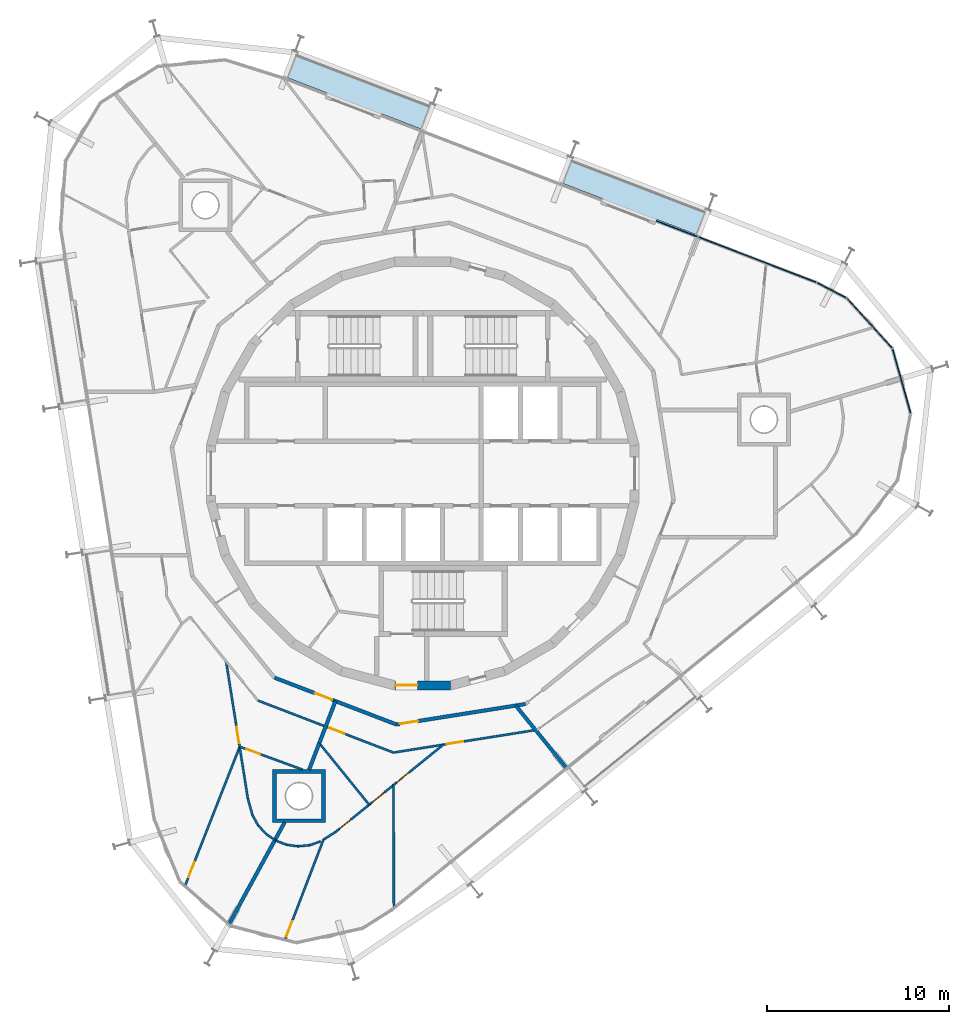
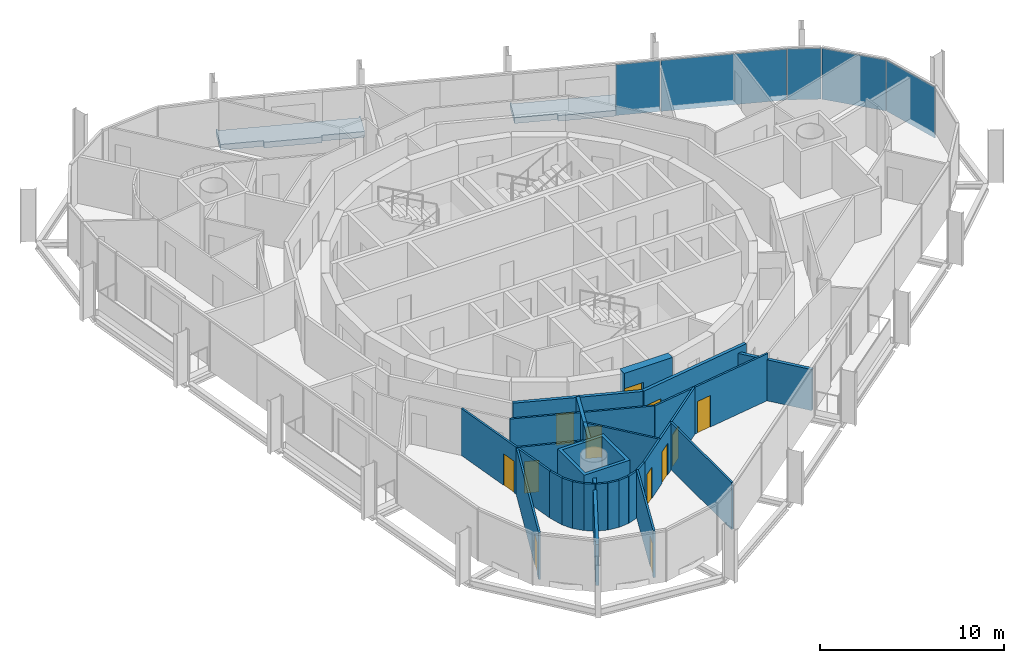
# One storey, part 11 of 18: 26 walls, 12 doors, 5 plates, 2 slabs, 12 openings, 2 elements without a shape of their own.
"""IFC4 building model written with IfcOpenShell, lengths in metres."""

from ifc_helpers import new_model, si_unit, direction, frame, frame_2d, origin, origin_2d, place, context, subcontext, project, spatial, polyline, rectangle, outline, extrude, material, layer, layer_set, type_object, element, fill, aggregate, save


model = new_model("IFC4")

# Units and contexts
model_context = context("Model", 3, precision=1e-05, world=origin(), true_north=direction((0.0, 1.0)))
body_context = subcontext(model_context, "Body", "Model", "MODEL_VIEW")
ifc_project = project(units=[si_unit("LENGTHUNIT", "METRE"), si_unit("AREAUNIT", "SQUARE_METRE"), si_unit("VOLUMEUNIT", "CUBIC_METRE"), si_unit("PLANEANGLEUNIT", "RADIAN"), si_unit("MASSUNIT", "GRAM", prefix="KILO")], contexts=[model_context])

# Site, building, storey
site_placement = place(None, origin())
site = spatial("IfcSite", under=ifc_project, at=site_placement, CompositionType="ELEMENT")
building_placement = place(site_placement, origin())
building = spatial("IfcBuilding", under=site, at=building_placement, Name="Spindle Arch Residences", CompositionType="ELEMENT")
storey_placement = place(building_placement, frame((0.0, 0.0, 273.89990234375)))
storey = spatial("IfcBuildingStorey", under=building, at=storey_placement, Name="L70", CompositionType="ELEMENT", Elevation=273.89990234375)

# Slabs
ifc_material_1 = material(Name="Concrete C40/50", Category="concrete")
ifc_layer_1 = layer(ifc_material_1, 0.3798828125)
ifc_layer_set_1 = layer_set([ifc_layer_1], Name="Balcony slab 380")
slab_type = type_object("IfcSlabType", Name="Balcony slab 380", PredefinedType="FLOOR", material=ifc_layer_set_1)
slab_1_placement = place(storey_placement, frame((0.0, 0.0, -0.3798828125)))
element("IfcSlab", 1, at=slab_1_placement, inside=storey, type_object=slab_type, Name="Balcony L70 bay 6", PredefinedType="FLOOR", context=body_context, shape_type="SweptSolid", body=[
    extrude(outline(polyline([(15.6220703125, 14.511962890625), (15.552001953125, 14.538818359375), (15.498291015625, 14.39892578125), (8.209228515625, 17.19677734375), (8.26318359375, 17.3369140625), (8.193115234375, 17.36376953125), (7.6591796875, 15.97265625), (9.8798828125, 15.120361328125), (9.822509765625, 14.970947265625), (12.81005859375, 13.823974609375), (12.867431640625, 13.973388671875), (15.088134765625, 13.12109375), (15.6220703125, 14.511962890625)])), origin(), (0.0, 0.0, 1.0), 0.3798828125),
])
slab_2_placement = place(storey_placement, frame((0.0, 0.0, -0.3798828125)))
element("IfcSlab", 2, at=slab_2_placement, inside=storey, type_object=slab_type, Name="Balcony L70 bay 8", PredefinedType="FLOOR", context=body_context, shape_type="SweptSolid", body=[
    extrude(outline(polyline([(0.48388671875, 20.322998046875), (0.413818359375, 20.349853515625), (0.360107421875, 20.2099609375), (-6.928955078125, 23.0078125), (-6.875, 23.14794921875), (-6.945068359375, 23.1748046875), (-7.47900390625, 21.78369140625), (-5.25830078125, 20.93115234375), (-5.315673828125, 20.781982421875), (-2.328125, 19.635009765625), (-2.270751953125, 19.784423828125), (-0.050048828125, 18.931884765625), (0.48388671875, 20.322998046875)])), origin(), (0.0, 0.0, 1.0), 0.3798828125),
])

# Curtain wall, plates
ifc_material_2 = material(Name="Aluminium bronze unitised frame with tinted glass", Category="aluminium")
ifc_layer_2 = layer(ifc_material_2, 0.159912109375)
ifc_layer_set_2 = layer_set([ifc_layer_2], Name="CW-D corner wall on the fillet arcs")
curtain_wall_type_1 = type_object("IfcCurtainWallType", Name="CW-D corner wall on the fillet arcs", PredefinedType="NOTDEFINED", material=ifc_layer_set_2)
curtain_wall_1_placement = place(storey_placement, origin())
curtain_wall_1 = element("IfcCurtainWall", 3, at=curtain_wall_1_placement, inside=storey, type_object=curtain_wall_type_1, Name="CW-D L70 run 1", PredefinedType="NOTDEFINED")
ifc_material_3 = material(Name="Tinted double glazing over aluminium faced non-combustible spandrel zone (K0)", Category="aluminium")
ifc_layer_3 = layer(ifc_material_3, 0.06005859375)
ifc_layer_set_3 = layer_set([ifc_layer_3], Name="Unitised glass panel with E 60 spandrel zone")
plate_type = type_object("IfcPlateType", Name="Unitised glass panel with E 60 spandrel zone", PredefinedType="CURTAIN_PANEL", material=ifc_layer_set_3)
plate_1_placement = place(storey_placement, frame((26.32958984375, 5.09423828125, -0.3798828125), z_axis=(0.0, 0.0, 1.0), x_axis=(-0.270040328007, 0.962849012696, 0.0)))
plate_1 = element("IfcPlate", 4, at=plate_1_placement, type_object=plate_type, Name="CW-D unit 03", PredefinedType="CURTAIN_PANEL", context=body_context, shape_type="SweptSolid", body=[
    extrude(rectangle(XDim=3.666748046875, YDim=0.06005859375, at=origin_2d()), origin(), (0.0, 0.0, 1.0), 3.3798828125),
])
plate_2_placement = place(storey_placement, frame((24.571533203125, 8.265869140625, -0.3798828125), z_axis=(0.0, 0.0, 1.0), x_axis=(-0.673442702134, 0.73923942464, 0.0)))
plate_2 = element("IfcPlate", 5, at=plate_2_placement, type_object=plate_type, Name="CW-D unit 04", PredefinedType="CURTAIN_PANEL", context=body_context, shape_type="SweptSolid", body=[
    extrude(rectangle(XDim=3.666748046875, YDim=0.06005859375, at=origin_2d()), origin(), (0.0, 0.0, 1.0), 3.3798828125),
])
plate_3_placement = place(storey_placement, frame((22.48583984375, 10.078857421875, -0.3798828125), z_axis=(0.0, 0.0, 1.0), x_axis=(-0.885663912754, 0.464326860783, 0.0)))
plate_3 = element("IfcPlate", 6, at=plate_3_placement, type_object=plate_type, Name="CW-D unit 05", PredefinedType="CURTAIN_PANEL", context=body_context, shape_type="SweptSolid", body=[
    extrude(rectangle(XDim=1.816162109375, YDim=0.06005859375, at=origin_2d()), origin(), (0.0, 0.0, 1.0), 3.3798828125),
])
plate_4_placement = place(storey_placement, frame((18.392333984375, 11.76708984375, -0.3798828125), z_axis=(0.0, 0.0, 1.0), x_axis=(-0.933580426497, 0.358367949545, 0.0)))
plate_4 = element("IfcPlate", 7, at=plate_4_placement, type_object=plate_type, Name="CW-D unit 06", PredefinedType="CURTAIN_PANEL", context=body_context, shape_type="SweptSolid", body=[
    extrude(rectangle(XDim=6.9296875, YDim=0.06005859375, at=origin_2d()), origin(), (0.0, 0.0, 1.0), 3.3798828125),
])
aggregate(curtain_wall_1, [plate_1, plate_2, plate_3, plate_4])

# Curtain wall, plate
ifc_material_4 = material(Name="Aluminium bronze unitised frame with tinted glass", Category="aluminium")
ifc_layer_4 = layer(ifc_material_4, 0.159912109375)
ifc_layer_set_4 = layer_set([ifc_layer_4], Name="CW-C typical residential unitised wall")
curtain_wall_type_2 = type_object("IfcCurtainWallType", Name="CW-C typical residential unitised wall", PredefinedType="NOTDEFINED", material=ifc_layer_set_4)
curtain_wall_2_placement = place(storey_placement, origin())
curtain_wall_2 = element("IfcCurtainWall", 8, at=curtain_wall_2_placement, inside=storey, type_object=curtain_wall_type_2, Name="CW-C L70 run 2", PredefinedType="NOTDEFINED")
plate_5_placement = place(storey_placement, frame((13.969970703125, 13.46435546875, -0.3798828125), z_axis=(0.0, 0.0, 1.0), x_axis=(-0.933580426497, 0.358367949545, 0.0)))
plate_5 = element("IfcPlate", 9, at=plate_5_placement, type_object=plate_type, Name="CW-C unit 05L", PredefinedType="CURTAIN_PANEL", context=body_context, shape_type="SweptSolid", body=[
    extrude(rectangle(XDim=2.423828125, YDim=0.06005859375, at=origin_2d()), origin(), (0.0, 0.0, 1.0), 3.3798828125),
])
aggregate(curtain_wall_2, [plate_5])

# Wall, opening, door
ifc_material_5 = material(Name="Concrete C50/60", Category="concrete")
ifc_layer_5 = layer(ifc_material_5, 0.5)
ifc_layer_set_5 = layer_set([ifc_layer_5], Name="Core outline wall 500")
wall_type_1 = type_object("IfcWallType", Name="Core outline wall 500", PredefinedType="SHEAR", material=ifc_layer_set_5)
wall_1_placement = place(storey_placement, frame((-1.516357421875, -11.647216796875, 0.0), z_axis=(0.0, 0.0, 1.0), x_axis=(1.0, 0.0, 0.0)))
wall_1 = element("IfcWall", 10, at=wall_1_placement, inside=storey, type_object=wall_type_1, Name="Core outline wall 24", PredefinedType="SHEAR", context=body_context, shape_type="SweptSolid", body=[
    extrude(rectangle(XDim=3.03271484375, YDim=0.5, at=frame_2d((1.516357421875, 0.0))), origin(), (0.0, 0.0, 1.0), 3.1201171875),
])
opening_1_placement = place(wall_1_placement, frame((0.016357421875, 0.0, 0.0)))
opening_1 = element("IfcOpeningElement", 11, at=opening_1_placement, cuts=wall_1, Name="Opening R7B1-AD03", PredefinedType="OPENING", context=body_context, shape_type="SweptSolid", body=[
    extrude(rectangle(XDim=1.199951171875, YDim=2.10009765625, at=frame_2d((0.60009765625, 1.050048828125))), frame((0.0, 0.260009765625, 0.0), z_axis=(0.0, -1.0, 0.0), x_axis=(1.0, 0.0, 0.0)), (0.0, 0.0, 1.0), 0.52001953125),
])
ifc_material_6 = material(Name="Steel, fire-resisting door", Category="steel")
door_type_1 = type_object("IfcDoorType", Name="Stair airlock door 1200x2100", OperationType="SINGLE_SWING_LEFT", PredefinedType="DOOR", material=ifc_material_6)
door_1_placement = place(opening_1_placement, origin())
door_1 = element("IfcDoor", 12, at=door_1_placement, inside=storey, type_object=door_type_1, Name="Stair airlock door R7B1-AD03", OperationType="SINGLE_SWING_RIGHT", OverallHeight=2.10009765625, OverallWidth=1.199951171875, PredefinedType="DOOR", context=body_context, shape_type="SweptSolid", body=[
    extrude(rectangle(XDim=1.199951171875, YDim=2.10009765625, at=frame_2d((0.60009765625, 1.050048828125))), frame((0.0, 0.02490234375, 0.0), z_axis=(0.0, -1.0, 0.0), x_axis=(1.0, 0.0, 0.0)), (0.0, 0.0, 1.0), 0.050048828125),
])
fill(opening_1, door_1)

ifc_material_7 = material(Name="Calcium silicate block, plastered")
ifc_layer_6 = layer(ifc_material_7, 0.199951171875)
ifc_layer_set_6 = layer_set([ifc_layer_6], Name="Corridor wall 200")
wall_type_2 = type_object("IfcWallType", Name="Corridor wall 200", PredefinedType="STANDARD", material=ifc_layer_set_6)
wall_2_placement = place(storey_placement, frame((-8.154296875, -11.223388671875, 0.0), z_axis=(0.0, 0.0, 1.0), x_axis=(0.93359073609, -0.358341090983, 0.0)))
wall_2 = element("IfcWall", 13, at=wall_2_placement, inside=storey, type_object=wall_type_2, Name="Corridor wall R7B1-W013", PredefinedType="STANDARD", context=body_context, shape_type="SweptSolid", body=[
    extrude(rectangle(XDim=7.180908203125, YDim=0.199951171875, at=frame_2d((3.59033203125, 0.0))), origin(), (0.0, 0.0, 1.0), 3.1201171875),
])
opening_2_placement = place(wall_2_placement, frame((2.390380859375, 0.0, 0.0)))
opening_2 = element("IfcOpeningElement", 14, at=opening_2_placement, cuts=wall_2, Name="Opening R7B1-FD04", PredefinedType="OPENING", context=body_context, shape_type="SweptSolid", body=[
    extrude(rectangle(XDim=1.0, YDim=2.10009765625, at=frame_2d((0.5, 1.050048828125))), frame((0.0, 0.10986328125, 0.0), z_axis=(0.0, -1.0, 0.0), x_axis=(1.0, 0.0, 0.0)), (0.0, 0.0, 1.0), 0.219970703125),
])
ifc_material_8 = material(Name="Timber, fire-resisting door set", Category="wood")
door_type_2 = type_object("IfcDoorType", Name="Flat entrance door 1000x2100", OperationType="NOTDEFINED", PredefinedType="DOOR", material=ifc_material_8)
door_2_placement = place(opening_2_placement, origin())
door_2 = element("IfcDoor", 15, at=door_2_placement, inside=storey, type_object=door_type_2, Name="Flat entrance door R7B1-FD04", OperationType="SINGLE_SWING_RIGHT", OverallHeight=2.10009765625, OverallWidth=1.0, PredefinedType="DOOR", context=body_context, shape_type="SweptSolid", body=[
    extrude(rectangle(XDim=1.0, YDim=2.10009765625, at=frame_2d((0.5, 1.050048828125))), frame((0.0, 0.02490234375, 0.0), z_axis=(0.0, -1.0, 0.0), x_axis=(1.0, 0.0, 0.0)), (0.0, 0.0, 1.0), 0.050048828125),
])
fill(opening_2, door_2)

wall_3_placement = place(storey_placement, frame((-1.4501953125, -13.796630859375, 0.0), z_axis=(0.0, 0.0, 1.0), x_axis=(0.987690361611, 0.156421704315, 0.0)))
wall_3 = element("IfcWall", 16, at=wall_3_placement, inside=storey, type_object=wall_type_2, Name="Corridor wall R7B1-W014", PredefinedType="STANDARD", context=body_context, shape_type="SweptSolid", body=[
    extrude(rectangle(XDim=7.18115234375, YDim=0.199951171875, at=frame_2d((3.590576171875, 0.0))), origin(), (0.0, 0.0, 1.0), 3.1201171875),
])
opening_3_placement = place(wall_3_placement, frame((0.199951171875, 0.0, 0.0)))
opening_3 = element("IfcOpeningElement", 17, at=opening_3_placement, cuts=wall_3, Name="Opening R7B1-FD05", PredefinedType="OPENING", context=body_context, shape_type="SweptSolid", body=[
    extrude(rectangle(XDim=1.0, YDim=2.10009765625, at=frame_2d((0.5, 1.050048828125))), frame((0.0, 0.10986328125, 0.0), z_axis=(0.0, -1.0, 0.0), x_axis=(1.0, 0.0, 0.0)), (0.0, 0.0, 1.0), 0.219970703125),
])
door_3_placement = place(opening_3_placement, origin())
door_3 = element("IfcDoor", 18, at=door_3_placement, inside=storey, type_object=door_type_2, Name="Flat entrance door R7B1-FD05", OperationType="SINGLE_SWING_LEFT", OverallHeight=2.10009765625, OverallWidth=1.0, PredefinedType="DOOR", context=body_context, shape_type="SweptSolid", body=[
    extrude(rectangle(XDim=1.0, YDim=2.10009765625, at=frame_2d((0.5, 1.050048828125))), frame((0.0, 0.02490234375, 0.0), z_axis=(0.0, -1.0, 0.0), x_axis=(1.0, 0.0, 0.0)), (0.0, 0.0, 1.0), 0.050048828125),
])
fill(opening_3, door_3)

ifc_material_9 = material(Name="Plasterboard on steel studs", Category="steel")
ifc_layer_7 = layer(ifc_material_9, 0.1201171875)
ifc_layer_set_7 = layer_set([ifc_layer_7], Name="Flat partition 120")
wall_type_3 = type_object("IfcWallType", Name="Flat partition 120", PredefinedType="PARTITIONING", material=ifc_layer_set_7)
wall_4_placement = place(storey_placement, frame((-9.06689453125, -12.4794921875, 0.0), z_axis=(0.0, 0.0, 1.0), x_axis=(0.933579449035, -0.358370495911, 0.0)))
wall_4 = element("IfcWall", 19, at=wall_4_placement, inside=storey, type_object=wall_type_3, Name="Flat partition R7B1-W073", PredefinedType="PARTITIONING", context=body_context, shape_type="SweptSolid", body=[
    extrude(rectangle(XDim=7.98486328125, YDim=0.1201171875, at=frame_2d((3.992431640625, 0.0))), origin(), (0.0, 0.0, 1.0), 3.1201171875),
])
opening_4_placement = place(wall_4_placement, frame((4.1923828125, 0.0, 0.0)))
opening_4 = element("IfcOpeningElement", 20, at=opening_4_placement, cuts=wall_4, Name="Opening R7B1-ID20", PredefinedType="OPENING", context=body_context, shape_type="SweptSolid", body=[
    extrude(rectangle(XDim=0.89990234375, YDim=2.10009765625, at=frame_2d((0.449951171875, 1.050048828125))), frame((0.0, 0.070068359375, 0.0), z_axis=(0.0, -1.0, 0.0), x_axis=(1.0, 0.0, 0.0)), (0.0, 0.0, 1.0), 0.14013671875),
])
ifc_material_10 = material(Name="Timber door set", Category="wood")
door_type_3 = type_object("IfcDoorType", Name="Room door 900x2100", OperationType="NOTDEFINED", PredefinedType="DOOR", material=ifc_material_10)
door_4_placement = place(opening_4_placement, origin())
door_4 = element("IfcDoor", 21, at=door_4_placement, inside=storey, type_object=door_type_3, Name="Room door R7B1-ID20", OperationType="SINGLE_SWING_RIGHT", OverallHeight=2.10009765625, OverallWidth=0.89990234375, PredefinedType="DOOR", context=body_context, shape_type="SweptSolid", body=[
    extrude(rectangle(XDim=0.89990234375, YDim=2.10009765625, at=frame_2d((0.449951171875, 1.050048828125))), frame((0.0, 0.02490234375, 0.0), z_axis=(0.0, -1.0, 0.0), x_axis=(1.0, 0.0, 0.0)), (0.0, 0.0, 1.0), 0.050048828125),
])
fill(opening_4, door_4)

wall_5_placement = place(storey_placement, frame((-9.619384765625, -17.87060546875, 0.0), z_axis=(0.0, 0.0, 1.0), x_axis=(-0.156433255633, 0.987688532146, 0.0)))
wall_5 = element("IfcWall", 22, at=wall_5_placement, inside=storey, type_object=wall_type_3, Name="Flat partition R7B1-W075", PredefinedType="PARTITIONING", context=body_context, shape_type="SweptSolid", body=[
    extrude(rectangle(XDim=7.64404296875, YDim=0.1201171875, at=frame_2d((3.822021484375, 0.0))), origin(), (0.0, 0.0, 1.0), 3.1201171875),
])
opening_5_placement = place(wall_5_placement, frame((3.08740234375, 0.0, 0.0)))
opening_5 = element("IfcOpeningElement", 23, at=opening_5_placement, cuts=wall_5, Name="Opening R7B1-ID19", PredefinedType="OPENING", context=body_context, shape_type="SweptSolid", body=[
    extrude(rectangle(XDim=0.89990234375, YDim=2.10009765625, at=frame_2d((0.449951171875, 1.050048828125))), frame((0.0, 0.070068359375, 0.0), z_axis=(0.0, -1.0, 0.0), x_axis=(1.0, 0.0, 0.0)), (0.0, 0.0, 1.0), 0.14013671875),
])
door_5_placement = place(opening_5_placement, origin())
door_5 = element("IfcDoor", 24, at=door_5_placement, inside=storey, type_object=door_type_3, Name="Room door R7B1-ID19", OperationType="SINGLE_SWING_LEFT", OverallHeight=2.10009765625, OverallWidth=0.89990234375, PredefinedType="DOOR", context=body_context, shape_type="SweptSolid", body=[
    extrude(rectangle(XDim=0.89990234375, YDim=2.10009765625, at=frame_2d((0.449951171875, 1.050048828125))), frame((0.0, 0.02490234375, 0.0), z_axis=(0.0, -1.0, 0.0), x_axis=(1.0, 0.0, 0.0)), (0.0, 0.0, 1.0), 0.050048828125),
])
fill(opening_5, door_5)

wall_6_placement = place(storey_placement, frame((-13.0673828125, -22.658203125, 0.0), z_axis=(0.0, 0.0, 1.0), x_axis=(0.365785999331, 0.930698986082, 0.0)))
wall_6 = element("IfcWall", 25, at=wall_6_placement, inside=storey, type_object=wall_type_3, Name="Flat partition R7B1-W076", PredefinedType="PARTITIONING", context=body_context, shape_type="SweptSolid", body=[
    extrude(rectangle(XDim=8.1962890625, YDim=0.1201171875, at=frame_2d((4.09814453125, 0.0))), origin(), (0.0, 0.0, 1.0), 3.1201171875),
])
opening_6_placement = place(wall_6_placement, frame((0.5, 0.0, 0.0)))
opening_6 = element("IfcOpeningElement", 26, at=opening_6_placement, cuts=wall_6, Name="Opening R7B1-ID18", PredefinedType="OPENING", context=body_context, shape_type="SweptSolid", body=[
    extrude(rectangle(XDim=0.89990234375, YDim=2.10009765625, at=frame_2d((0.449951171875, 1.050048828125))), frame((0.0, 0.070068359375, 0.0), z_axis=(0.0, -1.0, 0.0), x_axis=(1.0, 0.0, 0.0)), (0.0, 0.0, 1.0), 0.14013671875),
])
door_6_placement = place(opening_6_placement, origin())
door_6 = element("IfcDoor", 27, at=door_6_placement, inside=storey, type_object=door_type_3, Name="Room door R7B1-ID18", OperationType="SINGLE_SWING_RIGHT", OverallHeight=2.10009765625, OverallWidth=0.89990234375, PredefinedType="DOOR", context=body_context, shape_type="SweptSolid", body=[
    extrude(rectangle(XDim=0.89990234375, YDim=2.10009765625, at=frame_2d((0.449951171875, 1.050048828125))), frame((0.0, 0.02490234375, 0.0), z_axis=(0.0, -1.0, 0.0), x_axis=(1.0, 0.0, 0.0)), (0.0, 0.0, 1.0), 0.050048828125),
])
fill(opening_6, door_6)

wall_7_placement = place(storey_placement, frame((-10.0712890625, -15.018798828125, 0.0), z_axis=(0.0, 0.0, 1.0), x_axis=(0.939648507355, -0.34214131967, 0.0)))
wall_7 = element("IfcWall", 28, at=wall_7_placement, inside=storey, type_object=wall_type_3, Name="Flat partition R7B1-W077", PredefinedType="PARTITIONING", context=body_context, shape_type="SweptSolid", body=[
    extrude(rectangle(XDim=3.691162109375, YDim=0.1201171875, at=frame_2d((1.845703125, 0.0))), origin(), (0.0, 0.0, 1.0), 3.1201171875),
])
opening_7_placement = place(wall_7_placement, frame((0.39990234375, 0.0, 0.0)))
opening_7 = element("IfcOpeningElement", 29, at=opening_7_placement, cuts=wall_7, Name="Opening R7B1-BD04", PredefinedType="OPENING", context=body_context, shape_type="SweptSolid", body=[
    extrude(rectangle(XDim=0.800048828125, YDim=2.10009765625, at=frame_2d((0.39990234375, 1.050048828125))), frame((0.0, 0.070068359375, 0.0), z_axis=(0.0, -1.0, 0.0), x_axis=(1.0, 0.0, 0.0)), (0.0, 0.0, 1.0), 0.14013671875),
])
ifc_material_11 = material(Name="Timber door set", Category="wood")
door_type_4 = type_object("IfcDoorType", Name="Bathroom door 800x2100", OperationType="NOTDEFINED", PredefinedType="DOOR", material=ifc_material_11)
door_7_placement = place(opening_7_placement, origin())
door_7 = element("IfcDoor", 30, at=door_7_placement, inside=storey, type_object=door_type_4, Name="Bathroom door R7B1-BD04", OperationType="SINGLE_SWING_RIGHT", OverallHeight=2.10009765625, OverallWidth=0.800048828125, PredefinedType="DOOR", context=body_context, shape_type="SweptSolid", body=[
    extrude(rectangle(XDim=0.800048828125, YDim=2.10009765625, at=frame_2d((0.39990234375, 1.050048828125))), frame((0.0, 0.02490234375, 0.0), z_axis=(0.0, -1.0, 0.0), x_axis=(1.0, 0.0, 0.0)), (0.0, 0.0, 1.0), 0.050048828125),
])
fill(opening_7, door_7)

# Walls
wall_8_placement = place(storey_placement, frame((-8.13037109375, -20.15283203125, 0.0), z_axis=(0.0, 0.0, 1.0), x_axis=(-0.825599905246, 0.564255967145, 0.0)))
element("IfcWall", 31, at=wall_8_placement, inside=storey, type_object=wall_type_3, Name="Flat partition R7B1-W078", PredefinedType="PARTITIONING", context=body_context, shape_type="SweptSolid", body=[
    extrude(rectangle(XDim=0.59326171875, YDim=0.1201171875, at=frame_2d((0.296630859375, 0.0))), origin(), (0.0, 0.0, 1.0), 3.1201171875),
])
for number, where, z_axis, x_axis, name in (
    (32, (-8.6201171875, -19.818115234375, 0.0), (0.0, 0.0, 1.0), (-0.673448438961, 0.739234198385, 0.0), "Flat partition R7B1-W079"),
    (33, (-9.052490234375, -19.343505859375, 0.0), (0.0, 0.0, 1.0), (-0.485126357712, 0.874444061706, 0.0), "Flat partition R7B1-W080"),
):
    element("IfcWall", number, at=place(storey_placement, frame(where, z_axis=z_axis, x_axis=x_axis)), inside=storey, type_object=wall_type_3, Name=name, PredefinedType="PARTITIONING", context=body_context, shape_type="SweptSolid", body=[
        extrude(rectangle(XDim=0.64208984375, YDim=0.1201171875, at=frame_2d((0.321044921875, 0.0))), origin(), (0.0, 0.0, 1.0), 3.1201171875),
    ])
wall_9_placement = place(storey_placement, frame((-9.364013671875, -18.781982421875, 0.0), z_axis=(0.0, 0.0, 1.0), x_axis=(-0.269811707714, 0.962913102196, 0.0)))
element("IfcWall", 34, at=wall_9_placement, inside=storey, type_object=wall_type_3, Name="Flat partition R7B1-W081", PredefinedType="PARTITIONING", context=body_context, shape_type="SweptSolid", body=[
    extrude(rectangle(XDim=0.946533203125, YDim=0.1201171875, at=frame_2d((0.47314453125, 0.0))), origin(), (0.0, 0.0, 1.0), 3.1201171875),
])

# Wall, opening, door
wall_10_placement = place(storey_placement, frame((-1.6123046875, -15.341064453125, 0.0), z_axis=(0.0, 0.0, 1.0), x_axis=(0.987687560018, 0.15643939333, 0.0)))
wall_10 = element("IfcWall", 35, at=wall_10_placement, inside=storey, type_object=wall_type_3, Name="Flat partition R7B1-W082", PredefinedType="PARTITIONING", context=body_context, shape_type="SweptSolid", body=[
    extrude(rectangle(XDim=7.913818359375, YDim=0.1201171875, at=frame_2d((3.95703125, 0.0))), origin(), (0.0, 0.0, 1.0), 3.1201171875),
])
opening_8_placement = place(wall_10_placement, frame((2.97802734375, 0.0, 0.0)))
opening_8 = element("IfcOpeningElement", 36, at=opening_8_placement, cuts=wall_10, Name="Opening R7B1-ID21", PredefinedType="OPENING", context=body_context, shape_type="SweptSolid", body=[
    extrude(rectangle(XDim=0.89990234375, YDim=2.10009765625, at=frame_2d((0.449951171875, 1.050048828125))), frame((0.0, 0.070068359375, 0.0), z_axis=(0.0, -1.0, 0.0), x_axis=(1.0, 0.0, 0.0)), (0.0, 0.0, 1.0), 0.14013671875),
])
door_8_placement = place(opening_8_placement, origin())
door_8 = element("IfcDoor", 37, at=door_8_placement, inside=storey, type_object=door_type_3, Name="Room door R7B1-ID21", OperationType="SINGLE_SWING_LEFT", OverallHeight=2.10009765625, OverallWidth=0.89990234375, PredefinedType="DOOR", context=body_context, shape_type="SweptSolid", body=[
    extrude(rectangle(XDim=0.89990234375, YDim=2.10009765625, at=frame_2d((0.449951171875, 1.050048828125))), frame((0.0, 0.02490234375, 0.0), z_axis=(0.0, -1.0, 0.0), x_axis=(1.0, 0.0, 0.0)), (0.0, 0.0, 1.0), 0.050048828125),
])
fill(opening_8, door_8)

# Walls
wall_11_placement = place(storey_placement, frame((-5.609130859375, -20.223388671875, 0.0), z_axis=(0.0, 0.0, 1.0), x_axis=(-0.945401267449, -0.325908642882, 0.0)))
element("IfcWall", 38, at=wall_11_placement, inside=storey, type_object=wall_type_3, Name="Flat partition R7B1-W083", PredefinedType="PARTITIONING", context=body_context, shape_type="SweptSolid", body=[
    extrude(rectangle(XDim=0.64208984375, YDim=0.1201171875, at=frame_2d((0.321044921875, 0.0))), origin(), (0.0, 0.0, 1.0), 3.1201171875),
])
for number, where, z_axis, x_axis, name in (
    (39, (-6.216064453125, -20.4326171875, 0.0), (0.0, 0.0, 1.0), (-0.99513463391, -0.098524415207, 0.0), "Flat partition R7B1-W084"),
    (40, (-6.854736328125, -20.495849609375, 0.0), (0.0, 0.0, 1.0), (-0.991101230536, 0.133110295736, 0.0), "Flat partition R7B1-W085"),
    (41, (-7.490966796875, -20.410400390625, 0.0), (0.0, 0.0, 1.0), (-0.933453403881, 0.35869867965, 0.0), "Flat partition R7B1-W086"),
):
    element("IfcWall", number, at=place(storey_placement, frame(where, z_axis=z_axis, x_axis=x_axis)), inside=storey, type_object=wall_type_3, Name=name, PredefinedType="PARTITIONING", context=body_context, shape_type="SweptSolid", body=[
        extrude(rectangle(XDim=0.641845703125, YDim=0.1201171875, at=frame_2d((0.32080078125, 0.0))), origin(), (0.0, 0.0, 1.0), 3.1201171875),
    ])

# Wall, opening, door
wall_12_placement = place(storey_placement, frame((-7.57861328125, -25.6455078125, 0.0), z_axis=(0.0, 0.0, 1.0), x_axis=(0.358336526264, 0.933592488158, 0.0)))
wall_12 = element("IfcWall", 42, at=wall_12_placement, inside=storey, type_object=wall_type_3, Name="Flat partition R7B1-W087", PredefinedType="PARTITIONING", context=body_context, shape_type="SweptSolid", body=[
    extrude(rectangle(XDim=5.90771484375, YDim=0.1201171875, at=frame_2d((2.953857421875, 0.0))), origin(), (0.0, 0.0, 1.0), 3.1201171875),
])
opening_9_placement = place(wall_12_placement, frame((0.199951171875, 0.0, 0.0)))
opening_9 = element("IfcOpeningElement", 43, at=opening_9_placement, cuts=wall_12, Name="Opening R7B1-ID23", PredefinedType="OPENING", context=body_context, shape_type="SweptSolid", body=[
    extrude(rectangle(XDim=0.89990234375, YDim=2.10009765625, at=frame_2d((0.449951171875, 1.050048828125))), frame((0.0, 0.070068359375, 0.0), z_axis=(0.0, -1.0, 0.0), x_axis=(1.0, 0.0, 0.0)), (0.0, 0.0, 1.0), 0.14013671875),
])
door_9_placement = place(opening_9_placement, origin())
door_9 = element("IfcDoor", 44, at=door_9_placement, inside=storey, type_object=door_type_3, Name="Room door R7B1-ID23", OperationType="SINGLE_SWING_LEFT", OverallHeight=2.10009765625, OverallWidth=0.89990234375, PredefinedType="DOOR", context=body_context, shape_type="SweptSolid", body=[
    extrude(rectangle(XDim=0.89990234375, YDim=2.10009765625, at=frame_2d((0.449951171875, 1.050048828125))), frame((0.0, 0.02490234375, 0.0), z_axis=(0.0, -1.0, 0.0), x_axis=(1.0, 0.0, 0.0)), (0.0, 0.0, 1.0), 0.050048828125),
])
fill(opening_9, door_9)

# Wall
wall_13_placement = place(storey_placement, frame((-5.461669921875, -20.130126953125, 0.0), z_axis=(0.0, 0.0, 1.0), x_axis=(0.84494764883, 0.534849016768, 0.0)))
element("IfcWall", 45, at=wall_13_placement, inside=storey, type_object=wall_type_3, Name="Flat partition R7B1-W088", PredefinedType="PARTITIONING", context=body_context, shape_type="SweptSolid", body=[
    extrude(rectangle(XDim=0.7724609375, YDim=0.1201171875, at=frame_2d((0.38623046875, 0.0))), origin(), (0.0, 0.0, 1.0), 3.1201171875),
])

# Wall, openings, doors
wall_14_placement = place(storey_placement, frame((-4.80908203125, -19.717041015625, 0.0), z_axis=(0.0, 0.0, 1.0), x_axis=(0.777140730041, 0.629326851255, 0.0)))
wall_14 = element("IfcWall", 46, at=wall_14_placement, inside=storey, type_object=wall_type_3, Name="Flat partition R7B1-W089", PredefinedType="PARTITIONING", context=body_context, shape_type="SweptSolid", body=[
    extrude(rectangle(XDim=7.64404296875, YDim=0.1201171875, at=frame_2d((3.822021484375, 0.0))), origin(), (0.0, 0.0, 1.0), 3.1201171875),
])
opening_10_placement = place(wall_14_placement, frame((2.594482421875, 0.0, 0.0)))
opening_10 = element("IfcOpeningElement", 47, at=opening_10_placement, cuts=wall_14, Name="Opening R7B1-ID22", PredefinedType="OPENING", context=body_context, shape_type="SweptSolid", body=[
    extrude(rectangle(XDim=0.89990234375, YDim=2.10009765625, at=frame_2d((0.449951171875, 1.050048828125))), frame((0.0, 0.070068359375, 0.0), z_axis=(0.0, -1.0, 0.0), x_axis=(1.0, 0.0, 0.0)), (0.0, 0.0, 1.0), 0.14013671875),
])
opening_11_placement = place(wall_14_placement, frame((0.300048828125, 0.0, 0.0)))
opening_11 = element("IfcOpeningElement", 48, at=opening_11_placement, cuts=wall_14, Name="Opening R7B1-BD05", PredefinedType="OPENING", context=body_context, shape_type="SweptSolid", body=[
    extrude(rectangle(XDim=0.800048828125, YDim=2.10009765625, at=frame_2d((0.39990234375, 1.050048828125))), frame((0.0, 0.070068359375, 0.0), z_axis=(0.0, -1.0, 0.0), x_axis=(1.0, 0.0, 0.0)), (0.0, 0.0, 1.0), 0.14013671875),
])
opening_12_placement = place(wall_14_placement, frame((4.3193359375, 0.0, 0.0)))
opening_12 = element("IfcOpeningElement", 49, at=opening_12_placement, cuts=wall_14, Name="Opening R7B1-ID24", PredefinedType="OPENING", context=body_context, shape_type="SweptSolid", body=[
    extrude(rectangle(XDim=0.89990234375, YDim=2.10009765625, at=frame_2d((0.449951171875, 1.050048828125))), frame((0.0, 0.070068359375, 0.0), z_axis=(0.0, -1.0, 0.0), x_axis=(1.0, 0.0, 0.0)), (0.0, 0.0, 1.0), 0.14013671875),
])
door_10_placement = place(opening_11_placement, origin())
door_10 = element("IfcDoor", 50, at=door_10_placement, inside=storey, type_object=door_type_4, Name="Bathroom door R7B1-BD05", OperationType="SINGLE_SWING_RIGHT", OverallHeight=2.10009765625, OverallWidth=0.800048828125, PredefinedType="DOOR", context=body_context, shape_type="SweptSolid", body=[
    extrude(rectangle(XDim=0.800048828125, YDim=2.10009765625, at=frame_2d((0.39990234375, 1.050048828125))), frame((0.0, 0.02490234375, 0.0), z_axis=(0.0, -1.0, 0.0), x_axis=(1.0, 0.0, 0.0)), (0.0, 0.0, 1.0), 0.050048828125),
])
fill(opening_11, door_10)
door_11_placement = place(opening_10_placement, origin())
door_11 = element("IfcDoor", 51, at=door_11_placement, inside=storey, type_object=door_type_3, Name="Room door R7B1-ID22", OperationType="SINGLE_SWING_LEFT", OverallHeight=2.10009765625, OverallWidth=0.89990234375, PredefinedType="DOOR", context=body_context, shape_type="SweptSolid", body=[
    extrude(rectangle(XDim=0.89990234375, YDim=2.10009765625, at=frame_2d((0.449951171875, 1.050048828125))), frame((0.0, 0.02490234375, 0.0), z_axis=(0.0, -1.0, 0.0), x_axis=(1.0, 0.0, 0.0)), (0.0, 0.0, 1.0), 0.050048828125),
])
fill(opening_10, door_11)
door_12_placement = place(opening_12_placement, origin())
door_12 = element("IfcDoor", 52, at=door_12_placement, inside=storey, type_object=door_type_3, Name="Room door R7B1-ID24", OperationType="SINGLE_SWING_RIGHT", OverallHeight=2.10009765625, OverallWidth=0.89990234375, PredefinedType="DOOR", context=body_context, shape_type="SweptSolid", body=[
    extrude(rectangle(XDim=0.89990234375, YDim=2.10009765625, at=frame_2d((0.449951171875, 1.050048828125))), frame((0.0, 0.02490234375, 0.0), z_axis=(0.0, -1.0, 0.0), x_axis=(1.0, 0.0, 0.0)), (0.0, 0.0, 1.0), 0.050048828125),
])
fill(opening_12, door_12)

# Walls
wall_15_placement = place(storey_placement, frame((-2.9482421875, -18.210205078125, 0.0), z_axis=(0.0, 0.0, 1.0), x_axis=(-0.629330389268, 0.777137864953, 0.0)))
element("IfcWall", 53, at=wall_15_placement, inside=storey, type_object=wall_type_3, Name="Flat partition R7B1-W090", PredefinedType="PARTITIONING", context=body_context, shape_type="SweptSolid", body=[
    extrude(rectangle(XDim=4.357421875, YDim=0.1201171875, at=frame_2d((2.1787109375, 0.0))), origin(), (0.0, 0.0, 1.0), 3.1201171875),
])
wall_16_placement = place(storey_placement, frame((-1.590576171875, -23.802001953125, 0.0), z_axis=(0.0, 0.0, 1.0), x_axis=(-0.002595969315, 0.999996630466, 0.0)))
element("IfcWall", 54, at=wall_16_placement, inside=storey, type_object=wall_type_3, Name="Flat partition R7B1-W091", PredefinedType="PARTITIONING", context=body_context, shape_type="SweptSolid", body=[
    extrude(rectangle(XDim=6.67724609375, YDim=0.1201171875, at=frame_2d((3.338623046875, 0.0))), origin(), (0.0, 0.0, 1.0), 3.1201171875),
])
ifc_material_12 = material(Name="Calcium silicate block, plastered")
ifc_layer_8 = layer(ifc_material_12, 0.199951171875)
ifc_layer_set_8 = layer_set([ifc_layer_8], Name="Flat party wall 200")
wall_type_4 = type_object("IfcWallType", Name="Flat party wall 200", PredefinedType="STANDARD", material=ifc_layer_set_8)
wall_17_placement = place(storey_placement, frame((-5.6904296875, -14.823974609375, 0.0), z_axis=(0.0, 0.0, 1.0), x_axis=(0.358345342952, 0.933589104041, 0.0)))
element("IfcWall", 55, at=wall_17_placement, inside=storey, type_object=wall_type_4, Name="Flat party wall R7B1-W027", PredefinedType="STANDARD", context=body_context, shape_type="SweptSolid", body=[
    extrude(rectangle(XDim=2.478515625, YDim=0.199951171875, at=frame_2d((1.2392578125, 0.0))), origin(), (0.0, 0.0, 1.0), 3.1201171875),
])
wall_18_placement = place(storey_placement, frame((-6.25, -16.28173828125, 0.0), z_axis=(0.0, 0.0, 1.0), x_axis=(0.358360842469, 0.933583154617, 0.0)))
element("IfcWall", 56, at=wall_18_placement, inside=storey, type_object=wall_type_4, Name="Flat party wall R7B1-W028", PredefinedType="STANDARD", context=body_context, shape_type="SweptSolid", body=[
    extrude(rectangle(XDim=1.5615234375, YDim=0.199951171875, at=frame_2d((0.78076171875, 0.0))), origin(), (0.0, 0.0, 1.0), 3.1201171875),
])
ifc_material_13 = material(Name="Calcium silicate block, plastered")
ifc_layer_9 = layer(ifc_material_13, 0.199951171875)
ifc_layer_set_9 = layer_set([ifc_layer_9], Name="Flat party wall 200 under beam 2730")
wall_type_5 = type_object("IfcWallType", Name="Flat party wall 200 under beam 2730", PredefinedType="STANDARD", material=ifc_layer_set_9)
wall_19_placement = place(storey_placement, frame((-10.636962890625, -24.738037109375, 0.0), z_axis=(0.0, 0.0, 1.0), x_axis=(0.479683887596, 0.877441375808, 0.0)))
element("IfcWall", 57, at=wall_19_placement, inside=storey, type_object=wall_type_5, Name="Flat party wall R7B1-W029", PredefinedType="STANDARD", context=body_context, shape_type="SweptSolid", body=[
    extrude(rectangle(XDim=6.33251953125, YDim=0.199951171875, at=frame_2d((3.166259765625, 0.0))), origin(), (0.0, 0.0, 1.0), 2.72998046875),
])
wall_20_placement = place(storey_placement, frame((7.860595703125, -16.1484375, 0.0), z_axis=(0.0, 0.0, 1.0), x_axis=(-0.629330189513, 0.777138026716, 0.0)))
element("IfcWall", 58, at=wall_20_placement, inside=storey, type_object=wall_type_5, Name="Flat party wall R7B1-W030", PredefinedType="STANDARD", context=body_context, shape_type="SweptSolid", body=[
    extrude(rectangle(XDim=4.364013671875, YDim=0.199951171875, at=frame_2d((2.18212890625, 0.0))), origin(), (0.0, 0.0, 1.0), 2.72998046875),
])
ifc_material_14 = material(Name="Calcium silicate block, plastered")
ifc_layer_10 = layer(ifc_material_14, 0.199951171875)
ifc_layer_set_10 = layer_set([ifc_layer_10], Name="Mega-column casing wall 200")
wall_type_6 = type_object("IfcWallType", Name="Mega-column casing wall 200", PredefinedType="STANDARD", material=ifc_layer_set_10)
wall_21_placement = place(storey_placement, origin())
element("IfcWall", 59, at=wall_21_placement, inside=storey, type_object=wall_type_6, Name="Mega-column casing wall R7B1-WC03", PredefinedType="STANDARD", context=body_context, shape_type="SweptSolid", body=[
    extrude(outline(polyline([(-5.356689453125, -16.28173828125), (-5.356689453125, -19.181640625), (-8.256591796875, -19.181640625), (-8.256591796875, -16.28173828125), (-5.356689453125, -16.28173828125)]), holes=[polyline([(-8.056640625, -18.981689453125), (-5.556640625, -18.981689453125), (-5.556640625, -16.481689453125), (-8.056640625, -16.481689453125), (-8.056640625, -18.981689453125)])]), origin(), (0.0, 0.0, 1.0), 3.1201171875),
])

save(model, "model.ifc")
